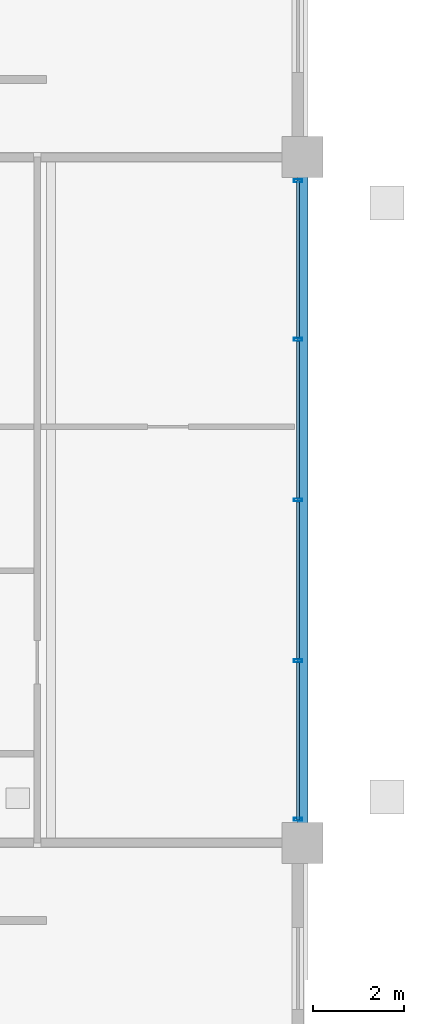
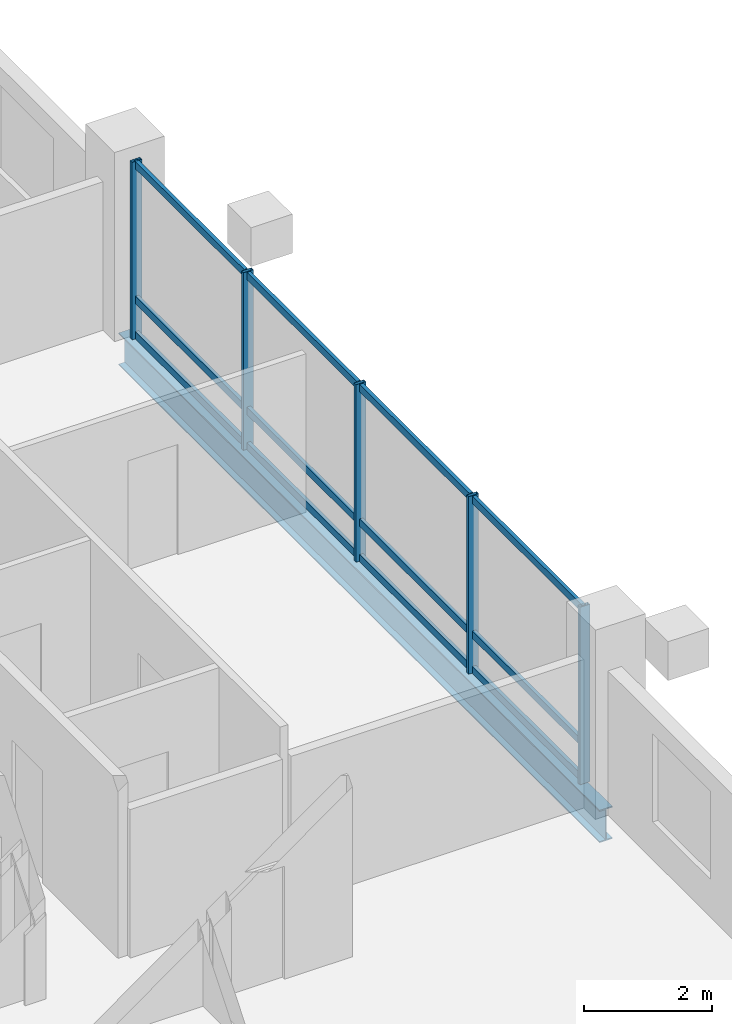
# One storey, part 10 of 21: 17 members, 1 beam, 1 element without a shape of its own.
"""IFC4 building model written with IfcOpenShell, lengths in metres."""

from ifc_helpers import new_model, si_unit, direction, frame, origin, origin_2d, place, context, subcontext, project, spatial, hollow_rectangle, i_section, extrude, material, layer, layer_set, material_profile, profile_set, type_object, element, aggregate, save


model = new_model("IFC4")

# Units and contexts
model_context = context("Model", 3, precision=1e-05, world=origin(), true_north=direction((0.0, 1.0)))
body_context = subcontext(model_context, "Body", "Model", "MODEL_VIEW")
ifc_project = project(units=[si_unit("LENGTHUNIT", "METRE"), si_unit("AREAUNIT", "SQUARE_METRE"), si_unit("VOLUMEUNIT", "CUBIC_METRE"), si_unit("PLANEANGLEUNIT", "RADIAN"), si_unit("MASSUNIT", "GRAM", prefix="KILO")], contexts=[model_context])

# Site, building, storey
site_placement = place(None, origin())
site = spatial("IfcSite", under=ifc_project, at=site_placement, CompositionType="ELEMENT")
building_placement = place(site_placement, origin())
building = spatial("IfcBuilding", under=site, at=building_placement, Name="Barlavira Tower and Art Museum", CompositionType="ELEMENT")
storey_placement = place(building_placement, frame((0.0, 0.0, 287.10009765625)))
storey = spatial("IfcBuildingStorey", under=building, at=storey_placement, Name="L75", CompositionType="ELEMENT", Elevation=287.10009765625)

# Curtain wall, members
ifc_material_1 = material(Name="Low-iron coastal laminated glass", Category="glass")
ifc_layer = layer(ifc_material_1, 0.2099609375, Name="Low-iron coastal laminated glass")
ifc_layer_set = layer_set([ifc_layer], Name="Low-iron coastal laminated glass")
curtain_wall_type = type_object("IfcCurtainWallType", Name="Pale-Metal Unitised Curtain Wall Zone 4", PredefinedType="NOTDEFINED", material=ifc_layer_set)
curtain_wall_placement = place(storey_placement, origin())
curtain_wall = element("IfcCurtainWall", 1, at=curtain_wall_placement, inside=storey, type_object=curtain_wall_type, Name="L75 Curtain Wall CW4-L75-E-B3", PredefinedType="NOTDEFINED")
ifc_material_2 = material(Name="Pale anodised aluminium", Category="aluminium")
ifc_material_profile_1 = material_profile(ifc_material_2, hollow_rectangle(XDim=0.06494140625, YDim=0.179931640625, WallThickness=0.00390625, at=origin_2d()), Name="ALU-MULL 65x180x4")
ifc_profile_set_1 = profile_set([ifc_material_profile_1], Name="Pale anodised aluminium")
member_type_1 = type_object("IfcMemberType", Name="Curtain Wall Pale-Metal Mullion 65x180", PredefinedType="MULLION", material=ifc_profile_set_1)
member_1_placement = place(storey_placement, frame((16.89990234375, -6.985107421875, 0.0), z_axis=(0.0, 0.0, 1.0), x_axis=(0.0, 1.0, 0.0)))
member_1 = element("IfcMember", 2, at=member_1_placement, type_object=member_type_1, Name="CW4-L75-E-B3 Mullion 0", PredefinedType="MULLION", context=body_context, shape_type="SweptSolid", body=[
    extrude(hollow_rectangle(XDim=0.06494140625, YDim=0.179931640625, WallThickness=0.00390625, at=origin_2d()), origin(), (0.0, 0.0, 1.0), 3.3798828125),
])
member_2_placement = place(storey_placement, frame((16.89990234375, -3.514892578125, 0.0), z_axis=(0.0, 0.0, 1.0), x_axis=(0.0, 1.0, 0.0)))
member_2 = element("IfcMember", 3, at=member_2_placement, type_object=member_type_1, Name="CW4-L75-E-B3 Mullion 1", PredefinedType="MULLION", context=body_context, shape_type="SweptSolid", body=[
    extrude(hollow_rectangle(XDim=0.06494140625, YDim=0.179931640625, WallThickness=0.00390625, at=origin_2d()), origin(), (0.0, 0.0, 1.0), 3.3798828125),
])
member_3_placement = place(storey_placement, frame((16.89990234375, 0.0, 0.0), z_axis=(0.0, 0.0, 1.0), x_axis=(0.0, 1.0, 0.0)))
member_3 = element("IfcMember", 4, at=member_3_placement, type_object=member_type_1, Name="CW4-L75-E-B3 Mullion 2", PredefinedType="MULLION", context=body_context, shape_type="SweptSolid", body=[
    extrude(hollow_rectangle(XDim=0.06494140625, YDim=0.179931640625, WallThickness=0.00390625, at=origin_2d()), origin(), (0.0, 0.0, 1.0), 3.3798828125),
])
member_4_placement = place(storey_placement, frame((16.89990234375, 3.514892578125, 0.0), z_axis=(0.0, 0.0, 1.0), x_axis=(0.0, 1.0, 0.0)))
member_4 = element("IfcMember", 5, at=member_4_placement, type_object=member_type_1, Name="CW4-L75-E-B3 Mullion 3", PredefinedType="MULLION", context=body_context, shape_type="SweptSolid", body=[
    extrude(hollow_rectangle(XDim=0.06494140625, YDim=0.179931640625, WallThickness=0.00390625, at=origin_2d()), origin(), (0.0, 0.0, 1.0), 3.3798828125),
])
member_5_placement = place(storey_placement, frame((16.89990234375, 6.985107421875, 0.0), z_axis=(0.0, 0.0, 1.0), x_axis=(0.0, 1.0, 0.0)))
member_5 = element("IfcMember", 6, at=member_5_placement, type_object=member_type_1, Name="CW4-L75-E-B3 Mullion 4", PredefinedType="MULLION", context=body_context, shape_type="SweptSolid", body=[
    extrude(hollow_rectangle(XDim=0.06494140625, YDim=0.179931640625, WallThickness=0.00390625, at=origin_2d()), origin(), (0.0, 0.0, 1.0), 3.3798828125),
])
ifc_material_profile_2 = material_profile(ifc_material_2, hollow_rectangle(XDim=0.06494140625, YDim=0.139892578125, WallThickness=0.00390625, at=origin_2d()), Name="ALU-TRAN 65x140x4")
ifc_profile_set_2 = profile_set([ifc_material_profile_2], Name="Pale anodised aluminium")
member_type_2 = type_object("IfcMemberType", Name="Curtain Wall Pale-Metal Transom 65x140", PredefinedType="USERDEFINED", material=ifc_profile_set_2)
member_6_placement = place(storey_placement, frame((16.89990234375, -6.985107421875, 0.06982421875), z_axis=(0.0, 1.0, 0.0), x_axis=(-1.0, 0.0, 0.0)))
member_6 = element("IfcMember", 7, at=member_6_placement, type_object=member_type_2, Name="CW4-L75-E-B3 Transom 0.1", ObjectType="TRANSOM", PredefinedType="USERDEFINED", context=body_context, shape_type="SweptSolid", body=[
    extrude(hollow_rectangle(XDim=0.06494140625, YDim=0.139892578125, WallThickness=0.00390625, at=origin_2d()), origin(), (0.0, 0.0, 1.0), 3.425048828125),
])
member_7_placement = place(storey_placement, frame((16.89990234375, -6.985107421875, 0.743896484375), z_axis=(0.0, 1.0, 0.0), x_axis=(-1.0, 0.0, 0.0)))
member_7 = element("IfcMember", 8, at=member_7_placement, type_object=member_type_2, Name="CW4-L75-E-B3 Transom 0.2", ObjectType="TRANSOM", PredefinedType="USERDEFINED", context=body_context, shape_type="SweptSolid", body=[
    extrude(hollow_rectangle(XDim=0.06494140625, YDim=0.139892578125, WallThickness=0.00390625, at=origin_2d()), origin(), (0.0, 0.0, 1.0), 3.425048828125),
])
member_8_placement = place(storey_placement, frame((16.89990234375, -6.985107421875, 3.309814453125), z_axis=(0.0, 1.0, 0.0), x_axis=(-1.0, 0.0, 0.0)))
member_8 = element("IfcMember", 9, at=member_8_placement, type_object=member_type_2, Name="CW4-L75-E-B3 Transom 0.3", ObjectType="TRANSOM", PredefinedType="USERDEFINED", context=body_context, shape_type="SweptSolid", body=[
    extrude(hollow_rectangle(XDim=0.06494140625, YDim=0.139892578125, WallThickness=0.00390625, at=origin_2d()), origin(), (0.0, 0.0, 1.0), 3.425048828125),
])
member_9_placement = place(storey_placement, frame((16.89990234375, -3.469970703125, 0.06982421875), z_axis=(0.0, 1.0, 0.0), x_axis=(-1.0, 0.0, 0.0)))
member_9 = element("IfcMember", 10, at=member_9_placement, type_object=member_type_2, Name="CW4-L75-E-B3 Transom 1.1", ObjectType="TRANSOM", PredefinedType="USERDEFINED", context=body_context, shape_type="SweptSolid", body=[
    extrude(hollow_rectangle(XDim=0.06494140625, YDim=0.139892578125, WallThickness=0.00390625, at=origin_2d()), origin(), (0.0, 0.0, 1.0), 3.425048828125),
])
member_10_placement = place(storey_placement, frame((16.89990234375, -3.469970703125, 0.743896484375), z_axis=(0.0, 1.0, 0.0), x_axis=(-1.0, 0.0, 0.0)))
member_10 = element("IfcMember", 11, at=member_10_placement, type_object=member_type_2, Name="CW4-L75-E-B3 Transom 1.2", ObjectType="TRANSOM", PredefinedType="USERDEFINED", context=body_context, shape_type="SweptSolid", body=[
    extrude(hollow_rectangle(XDim=0.06494140625, YDim=0.139892578125, WallThickness=0.00390625, at=origin_2d()), origin(), (0.0, 0.0, 1.0), 3.425048828125),
])
member_11_placement = place(storey_placement, frame((16.89990234375, -3.469970703125, 3.309814453125), z_axis=(0.0, 1.0, 0.0), x_axis=(-1.0, 0.0, 0.0)))
member_11 = element("IfcMember", 12, at=member_11_placement, type_object=member_type_2, Name="CW4-L75-E-B3 Transom 1.3", ObjectType="TRANSOM", PredefinedType="USERDEFINED", context=body_context, shape_type="SweptSolid", body=[
    extrude(hollow_rectangle(XDim=0.06494140625, YDim=0.139892578125, WallThickness=0.00390625, at=origin_2d()), origin(), (0.0, 0.0, 1.0), 3.425048828125),
])
member_12_placement = place(storey_placement, frame((16.89990234375, 0.044921875, 0.06982421875), z_axis=(0.0, 1.0, 0.0), x_axis=(-1.0, 0.0, 0.0)))
member_12 = element("IfcMember", 13, at=member_12_placement, type_object=member_type_2, Name="CW4-L75-E-B3 Transom 2.1", ObjectType="TRANSOM", PredefinedType="USERDEFINED", context=body_context, shape_type="SweptSolid", body=[
    extrude(hollow_rectangle(XDim=0.06494140625, YDim=0.139892578125, WallThickness=0.00390625, at=origin_2d()), origin(), (0.0, 0.0, 1.0), 3.425048828125),
])
member_13_placement = place(storey_placement, frame((16.89990234375, 0.044921875, 0.743896484375), z_axis=(0.0, 1.0, 0.0), x_axis=(-1.0, 0.0, 0.0)))
member_13 = element("IfcMember", 14, at=member_13_placement, type_object=member_type_2, Name="CW4-L75-E-B3 Transom 2.2", ObjectType="TRANSOM", PredefinedType="USERDEFINED", context=body_context, shape_type="SweptSolid", body=[
    extrude(hollow_rectangle(XDim=0.06494140625, YDim=0.139892578125, WallThickness=0.00390625, at=origin_2d()), origin(), (0.0, 0.0, 1.0), 3.425048828125),
])
member_14_placement = place(storey_placement, frame((16.89990234375, 0.044921875, 3.309814453125), z_axis=(0.0, 1.0, 0.0), x_axis=(-1.0, 0.0, 0.0)))
member_14 = element("IfcMember", 15, at=member_14_placement, type_object=member_type_2, Name="CW4-L75-E-B3 Transom 2.3", ObjectType="TRANSOM", PredefinedType="USERDEFINED", context=body_context, shape_type="SweptSolid", body=[
    extrude(hollow_rectangle(XDim=0.06494140625, YDim=0.139892578125, WallThickness=0.00390625, at=origin_2d()), origin(), (0.0, 0.0, 1.0), 3.425048828125),
])
member_15_placement = place(storey_placement, frame((16.89990234375, 3.56005859375, 0.06982421875), z_axis=(0.0, 1.0, 0.0), x_axis=(-1.0, 0.0, 0.0)))
member_15 = element("IfcMember", 16, at=member_15_placement, type_object=member_type_2, Name="CW4-L75-E-B3 Transom 3.1", ObjectType="TRANSOM", PredefinedType="USERDEFINED", context=body_context, shape_type="SweptSolid", body=[
    extrude(hollow_rectangle(XDim=0.06494140625, YDim=0.139892578125, WallThickness=0.00390625, at=origin_2d()), origin(), (0.0, 0.0, 1.0), 3.425048828125),
])
member_16_placement = place(storey_placement, frame((16.89990234375, 3.56005859375, 0.743896484375), z_axis=(0.0, 1.0, 0.0), x_axis=(-1.0, 0.0, 0.0)))
member_16 = element("IfcMember", 17, at=member_16_placement, type_object=member_type_2, Name="CW4-L75-E-B3 Transom 3.2", ObjectType="TRANSOM", PredefinedType="USERDEFINED", context=body_context, shape_type="SweptSolid", body=[
    extrude(hollow_rectangle(XDim=0.06494140625, YDim=0.139892578125, WallThickness=0.00390625, at=origin_2d()), origin(), (0.0, 0.0, 1.0), 3.425048828125),
])
member_17_placement = place(storey_placement, frame((16.89990234375, 3.56005859375, 3.309814453125), z_axis=(0.0, 1.0, 0.0), x_axis=(-1.0, 0.0, 0.0)))
member_17 = element("IfcMember", 18, at=member_17_placement, type_object=member_type_2, Name="CW4-L75-E-B3 Transom 3.3", ObjectType="TRANSOM", PredefinedType="USERDEFINED", context=body_context, shape_type="SweptSolid", body=[
    extrude(hollow_rectangle(XDim=0.06494140625, YDim=0.139892578125, WallThickness=0.00390625, at=origin_2d()), origin(), (0.0, 0.0, 1.0), 3.425048828125),
])
aggregate(curtain_wall, [member_1, member_2, member_3, member_4, member_5, member_6, member_7, member_8, member_9, member_10, member_11, member_12, member_13, member_14, member_15, member_16, member_17])

# Beam
ifc_material_3 = material(Name="Steel S355", Category="steel")
ifc_material_profile_3 = material_profile(ifc_material_3, i_section(OverallWidth=0.22998046875, OverallDepth=0.616943359375, WebThickness=0.01318359375, FlangeThickness=0.022216796875, at=origin_2d()), Name="W610x140.0")
ifc_profile_set_3 = profile_set([ifc_material_profile_3], Name="Steel S355")
beam_type = type_object("IfcBeamType", Name="Upper Shaft Spandrel Edge Beam W610x140 Steel S355", PredefinedType="SPANDREL", material=ifc_profile_set_3)
beam_placement = place(storey_placement, frame((17.0, -7.5, -0.528564453125), z_axis=(0.0, 1.0, 0.0), x_axis=(-1.0, 0.0, 0.0)))
element("IfcBeam", 19, at=beam_placement, inside=storey, type_object=beam_type, Name="L75 Spandrel 6", PredefinedType="SPANDREL", context=body_context, shape_type="SweptSolid", body=[
    extrude(i_section(OverallWidth=0.22998046875, OverallDepth=0.616943359375, WebThickness=0.01318359375, FlangeThickness=0.022216796875, at=origin_2d()), origin(), (0.0, 0.0, 1.0), 15.0),
])

save(model, "model.ifc")
